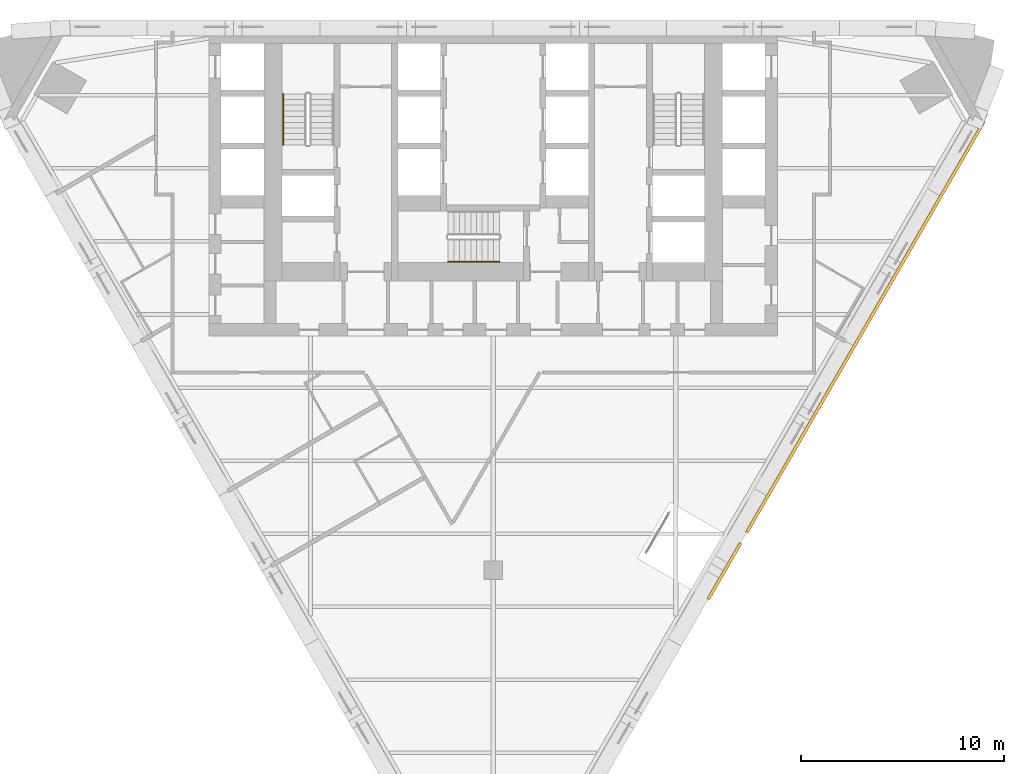
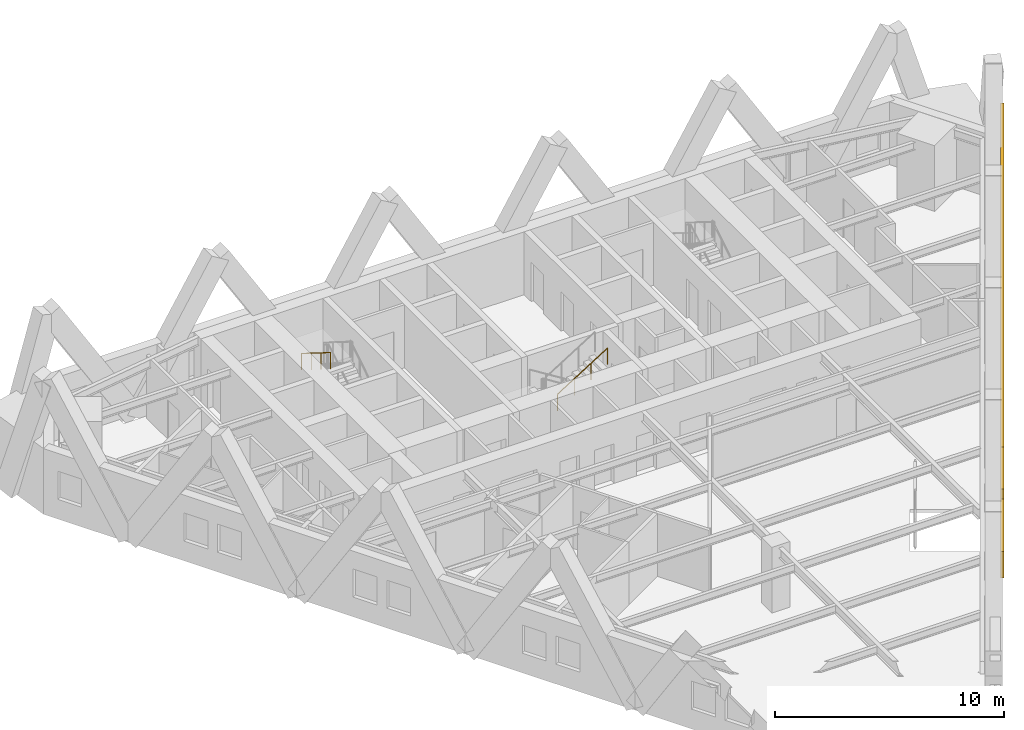
# One storey, part 9 of 10: 2 coverings, 2 railings.
"""IFC4 building model written with IfcOpenShell, lengths in metres."""

from ifc_helpers import new_model, si_unit, direction, frame, origin, origin_2d, place, context, subcontext, project, spatial, polyline, circle, outline, extrude, material, layer, layer_set, type_object, element, save


model = new_model("IFC4")

# Units and contexts
model_context = context("Model", 3, precision=1e-05, world=origin(), true_north=direction((0.0, 1.0)))
body_context = subcontext(model_context, "Body", "Model", "MODEL_VIEW")
ifc_project = project(units=[si_unit("LENGTHUNIT", "METRE"), si_unit("AREAUNIT", "SQUARE_METRE"), si_unit("VOLUMEUNIT", "CUBIC_METRE"), si_unit("PLANEANGLEUNIT", "RADIAN"), si_unit("MASSUNIT", "GRAM", prefix="KILO")], contexts=[model_context])

# Site, building, storey
site_placement = place(None, origin())
site = spatial("IfcSite", under=ifc_project, at=site_placement, CompositionType="ELEMENT")
building_placement = place(site_placement, origin())
building = spatial("IfcBuilding", under=site, at=building_placement, Name="Aloe Facet Convention Tower", CompositionType="ELEMENT")
storey_placement = place(building_placement, frame((0.0, 0.0, 116.800048828125)))
storey = spatial("IfcBuildingStorey", under=building, at=storey_placement, Name="L29", CompositionType="ELEMENT", Elevation=116.800048828125)

# Railings
ifc_material_1 = material(Name="Steel S355 handrail", Category="steel")
railing_type = type_object("IfcRailingType", Name="CR-RL-HAND", PredefinedType="HANDRAIL", material=ifc_material_1)
railing_1_placement = place(storey_placement, frame((69.64990234375, 131.469970703125, 1.925048828125)))
element("IfcRailing", 1, at=railing_1_placement, inside=storey, type_object=railing_type, Name="L29 ST1 stair handrail 2", PredefinedType="HANDRAIL", context=body_context, shape_type="SweptSolid", body=[
    extrude(circle(Radius=0.02392578125, at=origin_2d()), frame((0.0, 0.0, 0.8759765625), z_axis=(0.0, -0.848007534815, 0.529984170421), x_axis=(1.0, 0.0, 0.0)), (0.0, 0.0, 1.0), 2.9716796875),
    extrude(circle(Radius=0.02099609375, at=origin_2d()), origin(), (0.0, 0.0, 1.0), 0.851806640625),
    extrude(circle(Radius=0.02099609375, at=origin_2d()), frame((0.0, -0.840087890625, 0.52490234375)), (0.0, 0.0, 1.0), 0.851806640625),
    extrude(circle(Radius=0.02099609375, at=origin_2d()), frame((0.0, -1.679931640625, 1.050048828125)), (0.0, 0.0, 1.0), 0.851806640625),
    extrude(circle(Radius=0.02099609375, at=origin_2d()), frame((0.0, -2.52001953125, 1.574951171875)), (0.0, 0.0, 1.0), 0.851806640625),
])
railing_2_placement = place(storey_placement, frame((77.780029296875, 123.199951171875, 1.925048828125)))
element("IfcRailing", 2, at=railing_2_placement, inside=storey, type_object=railing_type, Name="L29 ST3 stair handrail 2", PredefinedType="HANDRAIL", context=body_context, shape_type="SweptSolid", body=[
    extrude(circle(Radius=0.02392578125, at=origin_2d()), frame((0.0, 0.0, 0.8759765625), z_axis=(0.848007534815, 0.0, 0.529984170421), x_axis=(0.0, 1.0, 0.0)), (0.0, 0.0, 1.0), 2.9716796875),
    extrude(circle(Radius=0.02099609375, at=origin_2d()), origin(), (0.0, 0.0, 1.0), 0.851806640625),
    extrude(circle(Radius=0.02099609375, at=origin_2d()), frame((0.840087890625, 0.0, 0.52490234375)), (0.0, 0.0, 1.0), 0.851806640625),
    extrude(circle(Radius=0.02099609375, at=origin_2d()), frame((1.679931640625, 0.0, 1.050048828125)), (0.0, 0.0, 1.0), 0.851806640625),
    extrude(circle(Radius=0.02099609375, at=origin_2d()), frame((2.52001953125, 0.0, 1.574951171875)), (0.0, 0.0, 1.0), 0.851806640625),
])

# Coverings
ifc_material_2 = material(Name="Bronze oxide fascia sheet")
ifc_layer = layer(ifc_material_2, 0.14990234375)
ifc_layer_set = layer_set([ifc_layer], Name="EV-FASCIA-TERR")
covering_type = type_object("IfcCoveringType", Name="EV-FASCIA-TERR", PredefinedType="CLADDING", material=ifc_layer_set)
covering_1_placement = place(storey_placement, frame((0.0, 0.0, 2.800048828125)))
element("IfcCovering", 3, at=covering_1_placement, inside=storey, type_object=covering_type, Name="Terrace fascia T06 head", PredefinedType="CLADDING", context=body_context, shape_type="SweptSolid", body=[
    extrude(outline(polyline([(90.658447265625, 106.53173828125), (92.258544921875, 109.302978515625), (92.128662109375, 109.3779296875), (90.528564453125, 106.606689453125), (90.658447265625, 106.53173828125)])), origin(), (0.0, 0.0, 1.0), 0.5498046875),
])
covering_2_placement = place(storey_placement, frame((92.55859375, 109.822509765625, -4.050048828125), z_axis=(0.866025817777, -0.499999282944, 0.0), x_axis=(0.475854205806, 0.824205237454, 0.306999187898)))
element("IfcCovering", 4, at=covering_2_placement, inside=storey, type_object=covering_type, Name="Spiral ribbon zone 2 part 10", PredefinedType="CLADDING", context=body_context, shape_type="SweptSolid", body=[
    extrude(outline(polyline([(0.0, 0.0), (24.57238152166375, -8.881784197001252e-16), (25.002150404331758, 1.3323007466510823), (0.429768882668008, 1.3323007466510837), (0.0, 0.0)])), origin(), (0.0, 0.0, -1.0), 0.14990234375),
])

save(model, "model.ifc")
